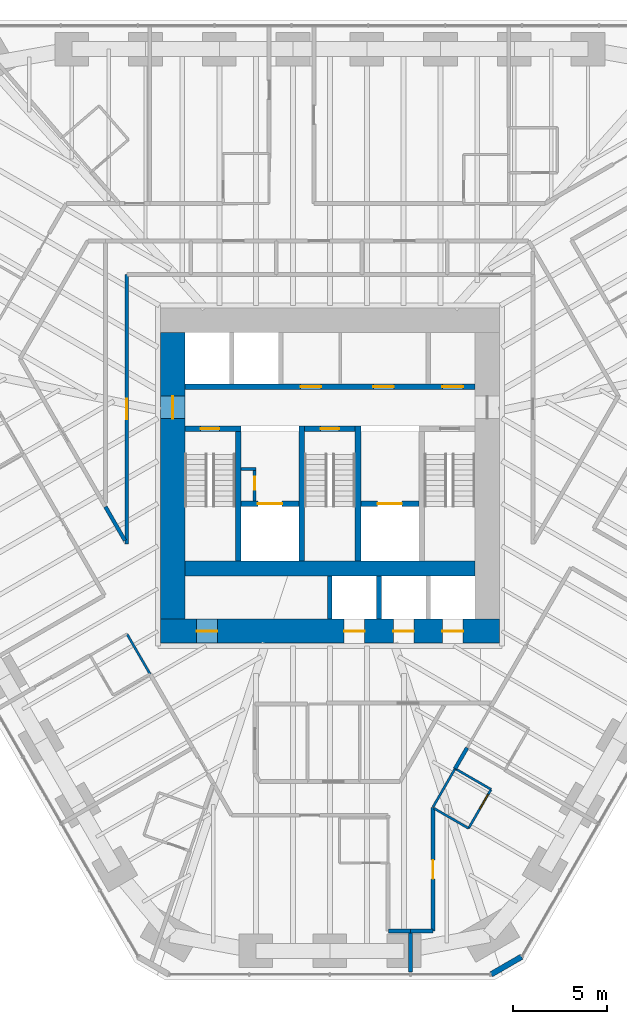
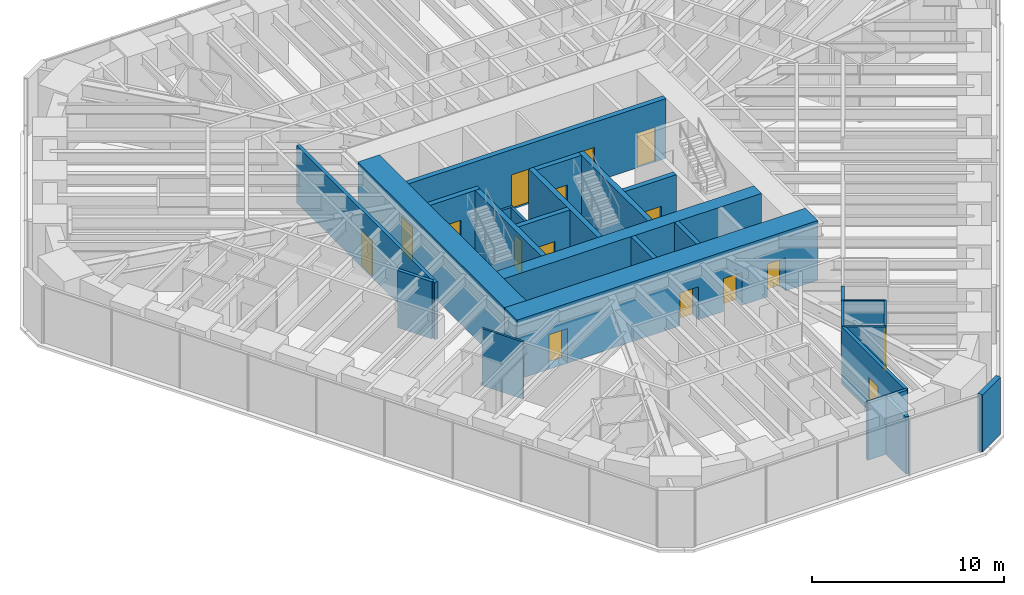
# One storey, part 12 of 17: 28 walls, 16 doors, 16 openings.
"""IFC4 building model written with IfcOpenShell, lengths in metres."""

import ifcopenshell
import ifcopenshell.guid

model = None  # the IFC model being written
_history = None  # IfcOwnerHistory: only IFC2X3 demands one
_inside = {}  # id of a spatial element -> (the spatial element, [elements in it])
_under = {}  # id of a project, library or spatial element -> (it, [spatial elements below it])
_declared = {}  # id of a project -> (the project, [libraries it declares])
_typed = {}  # id of a type object -> (the type object, [elements of that type])
_made_of = {}  # id of a material, layer set ... -> (it, [elements and type objects made of it])


def new_model(schema):
    """Start an empty IFC model of exactly this schema.

    Asked for "IFC4X3", IfcOpenShell would pick the latest addendum, in which some entities
    have other attributes; the version numbers below select the first issue.
    IFC2X3 requires an IfcOwnerHistory on every rooted entity: one is made here for all.
    """
    global model, _history
    if schema == "IFC4X3":
        model = ifcopenshell.file(schema_version=(4, 3, 0, 0))
    else:
        model = ifcopenshell.file(schema=schema)
    _inside.clear()
    _under.clear()
    _declared.clear()
    _typed.clear()
    _made_of.clear()
    _history = None
    if model.schema == "IFC2X3":
        org = make("IfcOrganization", Name="unknown")
        user = make(
            "IfcPersonAndOrganization",
            ThePerson=make("IfcPerson", FamilyName="unknown"),
            TheOrganization=org,
        )
        app = make(
            "IfcApplication",
            ApplicationDeveloper=org,
            Version="unknown",
            ApplicationFullName="unknown",
            ApplicationIdentifier="unknown",
        )
        _history = make(
            "IfcOwnerHistory",
            OwningUser=user,
            OwningApplication=app,
            ChangeAction="ADDED",
            CreationDate=0,
        )
    return model


def make(cls, **values):
    """One entity of the class cls with the attributes given. An attribute that is None is left unset."""
    return model.create_entity(
        cls, **{name: value for name, value in values.items() if value is not None}
    )


def rooted(cls, **values):
    """An entity with a GlobalId (a new one), such as an element, a storey or a relation."""
    return make(cls, GlobalId=ifcopenshell.guid.new(), OwnerHistory=_history, **values)


def si_unit(unit_type, name, prefix=None):
    """IfcSIUnit, for example si_unit("LENGTHUNIT", "METRE", prefix="MILLI")."""
    return make("IfcSIUnit", UnitType=unit_type, Prefix=prefix, Name=name)


def assignment(units):
    """IfcUnitAssignment: the units of a project."""
    return None if units is None else make("IfcUnitAssignment", Units=units)


def point(xyz):
    """IfcCartesianPoint."""
    return None if xyz is None else make("IfcCartesianPoint", Coordinates=xyz)


def direction(xyz):
    """IfcDirection."""
    return None if xyz is None else make("IfcDirection", DirectionRatios=xyz)


def frame(location, z_axis=None, x_axis=None):
    """IfcAxis2Placement3D, a coordinate frame: its origin and axes. An axis left out is left unset."""
    return make(
        "IfcAxis2Placement3D",
        Location=point(location),
        Axis=direction(z_axis),
        RefDirection=direction(x_axis),
    )


def frame_2d(location, x_axis=None):
    """IfcAxis2Placement2D, a coordinate frame in the plane: its origin and x axis."""
    return make(
        "IfcAxis2Placement2D", Location=point(location), RefDirection=direction(x_axis)
    )


def origin():
    """The frame at (0, 0, 0) with its axes left unset."""
    return frame((0.0, 0.0, 0.0))


def place(relative_to, where):
    """IfcLocalPlacement: puts the frame where relative to a parent placement (None: the world)."""
    return make(
        "IfcLocalPlacement", PlacementRelTo=relative_to, RelativePlacement=where
    )


def context(
    kind, dimensions, precision=None, world=None, true_north=None, identifier=None
):
    """IfcGeometricRepresentationContext, for example the 3D "Model" context."""
    return make(
        "IfcGeometricRepresentationContext",
        ContextIdentifier=identifier,
        ContextType=kind,
        CoordinateSpaceDimension=dimensions,
        Precision=precision,
        WorldCoordinateSystem=world,
        TrueNorth=true_north,
    )


def subcontext(parent, identifier, kind, view, scale=None):
    """IfcGeometricRepresentationSubContext, for example "Body" below "Model"."""
    return make(
        "IfcGeometricRepresentationSubContext",
        ContextIdentifier=identifier,
        ContextType=kind,
        ParentContext=parent,
        TargetScale=scale,
        TargetView=view,
    )


def project(units=None, contexts=None):
    """IfcProject with its units and contexts."""
    return rooted(
        "IfcProject",
        Name="project",
        RepresentationContexts=contexts,
        UnitsInContext=assignment(units),
    )


def spatial(cls, under=None, at=None, **own):
    """A site, building, storey or space (cls), placed at a placement, below another one or the project."""
    s = rooted(cls, ObjectPlacement=at, **own)
    if under is not None:
        _under.setdefault(under.id(), (under, []))[1].append(s)
    return s


def profile(cls, at=None, kind="AREA", **sizes):
    """A parametric profile (cls). Its sizes go by their IFC names, for example OverallWidth=200.0."""
    return make(cls, ProfileType=kind, Position=at, **sizes)


def rectangle(**sizes):
    """IfcRectangleProfileDef."""
    return profile("IfcRectangleProfileDef", **sizes)


def extrude(swept, where, along, depth):
    """IfcExtrudedAreaSolid: the profile swept, set in the frame where, extruded along a direction by depth."""
    return make(
        "IfcExtrudedAreaSolid",
        SweptArea=swept,
        Position=where,
        ExtrudedDirection=direction(along),
        Depth=depth,
    )


def shape(context_of_items, identifier, shape_type, items):
    """IfcShapeRepresentation: the items that make up one representation, for example the "Body"."""
    return make(
        "IfcShapeRepresentation",
        ContextOfItems=context_of_items,
        RepresentationIdentifier=identifier,
        RepresentationType=shape_type,
        Items=items,
    )


def material(Name=None, Category=None):
    """IfcMaterial."""
    return make("IfcMaterial", Name=Name, Category=Category)


def layer(
    of_material, thickness, ventilated=None, Name=None, Category=None, Priority=None
):
    """IfcMaterialLayer: one layer of a wall or slab, of a material (None: an air gap)."""
    return make(
        "IfcMaterialLayer",
        Material=of_material,
        LayerThickness=thickness,
        IsVentilated=ventilated,
        Name=Name,
        Category=Category,
        Priority=Priority,
    )


def layer_set(layers, Name=None):
    """IfcMaterialLayerSet."""
    return make("IfcMaterialLayerSet", MaterialLayers=layers, LayerSetName=Name)


def made_of(thing, what):
    """Note that an element or type object is made of a material, layer set ...; save() writes the relation."""
    if what is not None:
        _made_of.setdefault(what.id(), (what, []))[1].append(thing)
    return thing


def type_object(cls, material=None, **own):
    """A type object (cls), such as IfcWallType, which elements share."""
    return made_of(rooted(cls, **own), material)


def element(
    cls,
    number,
    at=None,
    inside=None,
    cuts=None,
    type_object=None,
    material=None,
    context=None,
    identifier="Body",
    shape_type=None,
    held_by="IfcProductDefinitionShape",
    body=None,
    shapes=None,
    **own,
):
    """One element of the class cls, such as IfcWall. Its Tag is "e" and its number.

    at: its placement. inside: the storey or other place that contains it. cuts: it is an
    opening in that element (IfcRelVoidsElement). A single representation is given by context,
    identifier, shape_type and body (its items); several are given by shapes. held_by: the class
    of the entity that holds the representations. save() writes the other relations.
    """
    e = rooted(cls, Tag="e%d" % number, ObjectPlacement=at, **own)
    if body is not None:
        shapes = [shape(context, identifier, shape_type, body)]
    if shapes is not None:
        e.Representation = make(held_by, Representations=shapes)
    if inside is not None:
        _inside.setdefault(inside.id(), (inside, []))[1].append(e)
    if cuts is not None:
        rooted(
            "IfcRelVoidsElement", RelatingBuildingElement=cuts, RelatedOpeningElement=e
        )
    if type_object is not None:
        _typed.setdefault(type_object.id(), (type_object, []))[1].append(e)
    return made_of(e, material)


def fill(opening, filler):
    """IfcRelFillsElement: the door or window that sits in an opening."""
    return rooted(
        "IfcRelFillsElement",
        RelatingOpeningElement=opening,
        RelatedBuildingElement=filler,
    )


def aggregate(whole, parts):
    """IfcRelAggregates: a whole, such as a stair, and the parts it consists of."""
    return rooted("IfcRelAggregates", RelatingObject=whole, RelatedObjects=parts)


def save(model, path):
    """Write the relations noted so far, then the file.

    IfcRelAggregates (storeys below a building ...), IfcRelContainedInSpatialStructure (elements
    in a storey), IfcRelDefinesByType, IfcRelAssociatesMaterial and IfcRelDeclares: one each for
    every whole, place, type object, material and project.
    """
    for whole, parts in _under.values():
        aggregate(whole, parts)
    for where, things in _inside.values():
        rooted(
            "IfcRelContainedInSpatialStructure",
            RelatedElements=things,
            RelatingStructure=where,
        )
    for kind, things in _typed.values():
        rooted("IfcRelDefinesByType", RelatedObjects=things, RelatingType=kind)
    for what, things in _made_of.values():
        rooted("IfcRelAssociatesMaterial", RelatedObjects=things, RelatingMaterial=what)
    for by, libraries in _declared.values():
        rooted("IfcRelDeclares", RelatingContext=by, RelatedDefinitions=libraries)
    model.write(path)


model = new_model("IFC4")

# Units and contexts
model_context = context("Model", 3, precision=1e-05, world=origin(), true_north=direction((0.0, 1.0)))
body_context = subcontext(model_context, "Body", "Model", "MODEL_VIEW")
ifc_project = project(units=[si_unit("LENGTHUNIT", "METRE"), si_unit("AREAUNIT", "SQUARE_METRE"), si_unit("VOLUMEUNIT", "CUBIC_METRE"), si_unit("PLANEANGLEUNIT", "RADIAN"), si_unit("MASSUNIT", "GRAM", prefix="KILO")], contexts=[model_context])

# Site, building, storey
site_placement = place(None, origin())
site = spatial("IfcSite", under=ifc_project, at=site_placement, CompositionType="ELEMENT")
building_placement = place(site_placement, origin())
building = spatial("IfcBuilding", under=site, at=building_placement, Name="Sandreach Pilgrim Tower", CompositionType="ELEMENT")
storey_placement = place(building_placement, frame((0.0, 0.0, 142.39990234375)))
storey = spatial("IfcBuildingStorey", under=building, at=storey_placement, Name="L35", CompositionType="ELEMENT", Elevation=142.39990234375)

# Walls
ifc_material_1 = material(Name="Moisture-resistant gypsum board on steel studs", Category="steel")
ifc_layer_1 = layer(ifc_material_1, 0.1201171875)
ifc_layer_set_1 = layer_set([ifc_layer_1], Name="Bathroom partition 120")
wall_type_1 = type_object("IfcWallType", Name="Bathroom partition 120", PredefinedType="PARTITIONING", material=ifc_layer_set_1)
wall_1_placement = place(storey_placement, frame((-10.840087890625, -10.010009765625, 0.0), z_axis=(0.0, 0.0, 1.0), x_axis=(0.500089055364, -0.86597398154, 0.0)))
element("IfcWall", 1, at=wall_1_placement, inside=storey, type_object=wall_type_1, Name="Bathroom partition L35-043", PredefinedType="PARTITIONING", context=body_context, shape_type="SweptSolid", body=[
    extrude(rectangle(XDim=2.45947265625, YDim=0.1201171875, at=frame_2d((1.229736328125, 0.0))), origin(), (0.0, 0.0, 1.0), 3.64013671875),
])
wall_2_placement = place(storey_placement, frame((5.510009765625, -19.25, 0.0), z_axis=(0.0, 0.0, 1.0), x_axis=(0.498837591974, 0.866695481028, 0.0)))
element("IfcWall", 2, at=wall_2_placement, inside=storey, type_object=wall_type_1, Name="Bathroom partition L35-092", PredefinedType="PARTITIONING", context=body_context, shape_type="SweptSolid", body=[
    extrude(rectangle(XDim=2.365478515625, YDim=0.1201171875, at=frame_2d((1.1826171875, 0.0))), origin(), (0.0, 0.0, 1.0), 3.64013671875),
])
wall_3_placement = place(storey_placement, frame((5.566162109375, -19.322509765625, 0.0), z_axis=(0.0, 0.0, 1.0), x_axis=(0.865436746432, -0.501018201192, 0.0)))
element("IfcWall", 3, at=wall_3_placement, inside=storey, type_object=wall_type_1, Name="Bathroom partition L35-093", PredefinedType="PARTITIONING", context=body_context, shape_type="SweptSolid", body=[
    extrude(rectangle(XDim=2.13037109375, YDim=0.1201171875, at=frame_2d((1.065185546875, 0.0))), origin(), (0.0, 0.0, 1.0), 3.64013671875),
])

# Wall, opening, door
wall_4_placement = place(storey_placement, frame((7.409912109375, -20.389892578125, 0.0), z_axis=(0.0, 0.0, 1.0), x_axis=(0.499737123639, 0.866177122335, 0.0)))
wall_4 = element("IfcWall", 4, at=wall_4_placement, inside=storey, type_object=wall_type_1, Name="Bathroom partition L35-103", PredefinedType="PARTITIONING", context=body_context, shape_type="SweptSolid", body=[
    extrude(rectangle(XDim=2.401123046875, YDim=0.1201171875, at=frame_2d((1.20068359375, 0.0))), origin(), (0.0, 0.0, 1.0), 3.64013671875),
])
opening_1_placement = place(wall_4_placement, frame((1.201416015625, 0.0, 0.0)))
opening_1 = element("IfcOpeningElement", 5, at=opening_1_placement, cuts=wall_4, Name="Opening D09-09B", PredefinedType="OPENING", context=body_context, shape_type="SweptSolid", body=[
    extrude(rectangle(XDim=0.89990234375, YDim=2.030029296875, at=frame_2d((0.449951171875, 1.01513671875))), frame((0.0, 0.06005859375, 0.0), z_axis=(0.0, -1.0, 0.0), x_axis=(1.0, 0.0, 0.0)), (0.0, 0.0, 1.0), 0.1201171875),
])
ifc_material_2 = material(Name="Timber door, steel frame", Category="steel")
door_type_1 = type_object("IfcDoorType", Name="Bathroom door", OperationType="SINGLE_SWING_LEFT", PredefinedType="DOOR", material=ifc_material_2)
door_1_placement = place(opening_1_placement, origin())
door_1 = element("IfcDoor", 6, at=door_1_placement, inside=storey, type_object=door_type_1, Name="Door 3509B", OperationType="SINGLE_SWING_RIGHT", OverallHeight=2.030029296875, OverallWidth=0.89990234375, PredefinedType="DOOR", context=body_context, shape_type="SweptSolid", body=[
    extrude(rectangle(XDim=0.89990234375, YDim=2.030029296875, at=frame_2d((0.449951171875, 1.01513671875))), frame((0.0, 0.02490234375, 0.0), z_axis=(0.0, -1.0, 0.0), x_axis=(1.0, 0.0, 0.0)), (0.0, 0.0, 1.0), 0.050048828125),
])
fill(opening_1, door_1)

# Walls
wall_5_placement = place(storey_placement, frame((8.610107421875, -18.31005859375, 0.0), z_axis=(0.0, 0.0, 1.0), x_axis=(-0.865732595383, 0.500506816428, 0.0)))
element("IfcWall", 7, at=wall_5_placement, inside=storey, type_object=wall_type_1, Name="Bathroom partition L35-106", PredefinedType="PARTITIONING", context=body_context, shape_type="SweptSolid", body=[
    extrude(rectangle(XDim=2.218017578125, YDim=0.1201171875, at=frame_2d((1.10888671875, 0.0))), origin(), (0.0, 0.0, 1.0), 3.64013671875),
])
ifc_material_3 = material(Name="Concrete 10000 psi", Category="concrete")
ifc_layer_2 = layer(ifc_material_3, 0.300048828125)
ifc_layer_set_2 = layer_set([ifc_layer_2], Name="Core inner wall 300")
wall_type_2 = type_object("IfcWallType", Name="Core inner wall 300", PredefinedType="SHEAR", material=ifc_layer_set_2)
for number, where, z_axis, x_axis, name in (
    (8, (-4.89990234375, -6.10009765625, 0.0), (0.0, 0.0, 1.0), (0.0, 1.0, 0.0), "Core wall I0 L35"),
    (9, (-1.5, -6.10009765625, 0.0), (0.0, 0.0, 1.0), (0.0, 1.0, 0.0), "Core wall I1 L35"),
    (10, (1.5, -6.10009765625, 0.0), (0.0, 0.0, 1.0), (0.0, 1.0, 0.0), "Core wall I2 L35"),
):
    element("IfcWall", number, at=place(storey_placement, frame(where, z_axis=z_axis, x_axis=x_axis)), inside=storey, type_object=wall_type_2, Name=name, PredefinedType="SHEAR", context=body_context, shape_type="SweptSolid", body=[
        extrude(rectangle(XDim=7.2001953125, YDim=0.300048828125, at=frame_2d((3.60009765625, 0.0))), origin(), (0.0, 0.0, 1.0), 3.800048828125),
    ])

# Wall, opening, door
wall_6_placement = place(storey_placement, frame((-7.75, 0.949951171875, 0.0), z_axis=(0.0, 0.0, 1.0), x_axis=(1.0, 0.0, 0.0)))
wall_6 = element("IfcWall", 11, at=wall_6_placement, inside=storey, type_object=wall_type_2, Name="Core wall SN1 L35", PredefinedType="SHEAR", context=body_context, shape_type="SweptSolid", body=[
    extrude(rectangle(XDim=3.0, YDim=0.300048828125, at=frame_2d((1.5, 0.0))), origin(), (0.0, 0.0, 1.0), 3.800048828125),
])
opening_2_placement = place(wall_6_placement, frame((0.85009765625, 0.0, 0.0)))
opening_2 = element("IfcOpeningElement", 12, at=opening_2_placement, cuts=wall_6, Name="Opening D10S-ST1", PredefinedType="OPENING", context=body_context, shape_type="SweptSolid", body=[
    extrude(rectangle(XDim=1.0, YDim=2.199951171875, at=frame_2d((0.5, 1.10009765625))), frame((0.0, 0.14990234375, 0.0), z_axis=(0.0, -1.0, 0.0), x_axis=(1.0, 0.0, 0.0)), (0.0, 0.0, 1.0), 0.300048828125),
])
ifc_material_4 = material(Name="Steel door and frame", Category="steel")
door_type_2 = type_object("IfcDoorType", Name="Stair door", OperationType="SINGLE_SWING_LEFT", PredefinedType="DOOR", material=ifc_material_4)
door_2_placement = place(opening_2_placement, origin())
door_2 = element("IfcDoor", 13, at=door_2_placement, inside=storey, type_object=door_type_2, Name="Stair door ST1 L35", OperationType="SINGLE_SWING_LEFT", OverallHeight=2.199951171875, OverallWidth=1.0, PredefinedType="DOOR", context=body_context, shape_type="SweptSolid", body=[
    extrude(rectangle(XDim=1.0, YDim=2.199951171875, at=frame_2d((0.5, 1.10009765625))), frame((0.0, 0.02490234375, 0.0), z_axis=(0.0, -1.0, 0.0), x_axis=(1.0, 0.0, 0.0)), (0.0, 0.0, 1.0), 0.050048828125),
])
fill(opening_2, door_2)

wall_7_placement = place(storey_placement, frame((-1.35009765625, 0.949951171875, 0.0), z_axis=(0.0, 0.0, 1.0), x_axis=(1.0, 0.0, 0.0)))
wall_7 = element("IfcWall", 14, at=wall_7_placement, inside=storey, type_object=wall_type_2, Name="Core wall SN3 L35", PredefinedType="SHEAR", context=body_context, shape_type="SweptSolid", body=[
    extrude(rectangle(XDim=2.7001953125, YDim=0.300048828125, at=frame_2d((1.35009765625, 0.0))), origin(), (0.0, 0.0, 1.0), 3.800048828125),
])
opening_3_placement = place(wall_7_placement, frame((0.85009765625, 0.0, 0.0)))
opening_3 = element("IfcOpeningElement", 15, at=opening_3_placement, cuts=wall_7, Name="Opening D10S-ST3", PredefinedType="OPENING", context=body_context, shape_type="SweptSolid", body=[
    extrude(rectangle(XDim=1.0, YDim=2.199951171875, at=frame_2d((0.5, 1.10009765625))), frame((0.0, 0.14990234375, 0.0), z_axis=(0.0, -1.0, 0.0), x_axis=(1.0, 0.0, 0.0)), (0.0, 0.0, 1.0), 0.300048828125),
])
door_3_placement = place(opening_3_placement, origin())
door_3 = element("IfcDoor", 16, at=door_3_placement, inside=storey, type_object=door_type_2, Name="Stair door ST3 L35", OperationType="SINGLE_SWING_LEFT", OverallHeight=2.199951171875, OverallWidth=1.0, PredefinedType="DOOR", context=body_context, shape_type="SweptSolid", body=[
    extrude(rectangle(XDim=1.0, YDim=2.199951171875, at=frame_2d((0.5, 1.10009765625))), frame((0.0, 0.02490234375, 0.0), z_axis=(0.0, -1.0, 0.0), x_axis=(1.0, 0.0, 0.0)), (0.0, 0.0, 1.0), 0.050048828125),
])
fill(opening_3, door_3)

wall_8_placement = place(storey_placement, frame((-4.75, -3.050048828125, 0.0), z_axis=(0.0, 0.0, 1.0), x_axis=(1.0, 0.0, 0.0)))
wall_8 = element("IfcWall", 17, at=wall_8_placement, inside=storey, type_object=wall_type_2, Name="Core wall FL1 L35", PredefinedType="SHEAR", context=body_context, shape_type="SweptSolid", body=[
    extrude(rectangle(XDim=3.10009765625, YDim=0.300048828125, at=frame_2d((1.550048828125, 0.0))), origin(), (0.0, 0.0, 1.0), 3.800048828125),
])
opening_4_placement = place(wall_8_placement, frame((0.89990234375, 0.0, 0.0)))
opening_4 = element("IfcOpeningElement", 18, at=opening_4_placement, cuts=wall_8, Name="Opening LD13", PredefinedType="OPENING", context=body_context, shape_type="SweptSolid", body=[
    extrude(rectangle(XDim=1.300048828125, YDim=2.10009765625, at=frame_2d((0.64990234375, 1.050048828125))), frame((0.0, 0.14990234375, 0.0), z_axis=(0.0, -1.0, 0.0), x_axis=(1.0, 0.0, 0.0)), (0.0, 0.0, 1.0), 0.300048828125),
])
ifc_material_5 = material(Name="Steel door and frame", Category="steel")
door_type_3 = type_object("IfcDoorType", Name="Fire service lift landing door", OperationType="DOUBLE_DOOR_SLIDING", PredefinedType="DOOR", material=ifc_material_5)
door_4_placement = place(opening_4_placement, origin())
door_4 = element("IfcDoor", 19, at=door_4_placement, inside=storey, type_object=door_type_3, Name="Lift landing door FS1 L35", OperationType="DOUBLE_DOOR_SLIDING", OverallHeight=2.10009765625, OverallWidth=1.300048828125, PredefinedType="DOOR", context=body_context, shape_type="SweptSolid", body=[
    extrude(rectangle(XDim=1.300048828125, YDim=2.10009765625, at=frame_2d((0.64990234375, 1.050048828125))), frame((0.0, 0.02490234375, 0.0), z_axis=(0.0, -1.0, 0.0), x_axis=(1.0, 0.0, 0.0)), (0.0, 0.0, 1.0), 0.050048828125),
])
fill(opening_4, door_4)

wall_9_placement = place(storey_placement, frame((1.64990234375, -3.050048828125, 0.0), z_axis=(0.0, 0.0, 1.0), x_axis=(1.0, 0.0, 0.0)))
wall_9 = element("IfcWall", 20, at=wall_9_placement, inside=storey, type_object=wall_type_2, Name="Core wall FL2 L35", PredefinedType="SHEAR", context=body_context, shape_type="SweptSolid", body=[
    extrude(rectangle(XDim=3.10009765625, YDim=0.300048828125, at=frame_2d((1.550048828125, 0.0))), origin(), (0.0, 0.0, 1.0), 3.800048828125),
])
opening_5_placement = place(wall_9_placement, frame((0.89990234375, 0.0, 0.0)))
opening_5 = element("IfcOpeningElement", 21, at=opening_5_placement, cuts=wall_9, Name="Opening LD13", PredefinedType="OPENING", context=body_context, shape_type="SweptSolid", body=[
    extrude(rectangle(XDim=1.300048828125, YDim=2.10009765625, at=frame_2d((0.64990234375, 1.050048828125))), frame((0.0, 0.14990234375, 0.0), z_axis=(0.0, -1.0, 0.0), x_axis=(1.0, 0.0, 0.0)), (0.0, 0.0, 1.0), 0.300048828125),
])
door_5_placement = place(opening_5_placement, origin())
door_5 = element("IfcDoor", 22, at=door_5_placement, inside=storey, type_object=door_type_3, Name="Lift landing door FS2 L35", OperationType="DOUBLE_DOOR_SLIDING", OverallHeight=2.10009765625, OverallWidth=1.300048828125, PredefinedType="DOOR", context=body_context, shape_type="SweptSolid", body=[
    extrude(rectangle(XDim=1.300048828125, YDim=2.10009765625, at=frame_2d((0.64990234375, 1.050048828125))), frame((0.0, 0.02490234375, 0.0), z_axis=(0.0, -1.0, 0.0), x_axis=(1.0, 0.0, 0.0)), (0.0, 0.0, 1.0), 0.050048828125),
])
fill(opening_5, door_5)

# Wall, openings, doors
wall_10_placement = place(storey_placement, frame((-7.75, 3.199951171875, 0.0), z_axis=(0.0, 0.0, 1.0), x_axis=(1.0, 0.0, 0.0)))
wall_10 = element("IfcWall", 23, at=wall_10_placement, inside=storey, type_object=wall_type_2, Name="Core wall PN L35", PredefinedType="SHEAR", context=body_context, shape_type="SweptSolid", body=[
    extrude(rectangle(XDim=15.5, YDim=0.300048828125, at=frame_2d((7.75, 0.0))), origin(), (0.0, 0.0, 1.0), 3.800048828125),
])
opening_6_placement = place(wall_10_placement, frame((6.1875, 0.0, 0.0)))
opening_6 = element("IfcOpeningElement", 24, at=opening_6_placement, cuts=wall_10, Name="Opening D11L", PredefinedType="OPENING", context=body_context, shape_type="SweptSolid", body=[
    extrude(rectangle(XDim=1.10009765625, YDim=2.199951171875, at=frame_2d((0.550048828125, 1.10009765625))), frame((0.0, 0.14990234375, 0.0), z_axis=(0.0, -1.0, 0.0), x_axis=(1.0, 0.0, 0.0)), (0.0, 0.0, 1.0), 0.300048828125),
])
opening_7_placement = place(wall_10_placement, frame((10.074951171875, 0.0, 0.0)))
opening_7 = element("IfcOpeningElement", 25, at=opening_7_placement, cuts=wall_10, Name="Opening D11L", PredefinedType="OPENING", context=body_context, shape_type="SweptSolid", body=[
    extrude(rectangle(XDim=1.10009765625, YDim=2.199951171875, at=frame_2d((0.550048828125, 1.10009765625))), frame((0.0, 0.14990234375, 0.0), z_axis=(0.0, -1.0, 0.0), x_axis=(1.0, 0.0, 0.0)), (0.0, 0.0, 1.0), 0.300048828125),
])
opening_8_placement = place(wall_10_placement, frame((13.762451171875, 0.0, 0.0)))
opening_8 = element("IfcOpeningElement", 26, at=opening_8_placement, cuts=wall_10, Name="Opening D11L", PredefinedType="OPENING", context=body_context, shape_type="SweptSolid", body=[
    extrude(rectangle(XDim=1.10009765625, YDim=2.199951171875, at=frame_2d((0.550048828125, 1.10009765625))), frame((0.0, 0.14990234375, 0.0), z_axis=(0.0, -1.0, 0.0), x_axis=(1.0, 0.0, 0.0)), (0.0, 0.0, 1.0), 0.300048828125),
])
ifc_material_6 = material(Name="Steel door and frame, smoke seals", Category="steel")
door_type_4 = type_object("IfcDoorType", Name="Core room door", OperationType="SINGLE_SWING_LEFT", PredefinedType="DOOR", material=ifc_material_6)
door_6_placement = place(opening_6_placement, origin())
door_6 = element("IfcDoor", 27, at=door_6_placement, inside=storey, type_object=door_type_4, Name="Door housekeeping store 35K1", OperationType="SINGLE_SWING_LEFT", OverallHeight=2.199951171875, OverallWidth=1.10009765625, PredefinedType="DOOR", context=body_context, shape_type="SweptSolid", body=[
    extrude(rectangle(XDim=1.10009765625, YDim=2.199951171875, at=frame_2d((0.550048828125, 1.10009765625))), frame((0.0, 0.02490234375, 0.0), z_axis=(0.0, -1.0, 0.0), x_axis=(1.0, 0.0, 0.0)), (0.0, 0.0, 1.0), 0.050048828125),
])
fill(opening_6, door_6)
door_7_placement = place(opening_7_placement, origin())
door_7 = element("IfcDoor", 28, at=door_7_placement, inside=storey, type_object=door_type_4, Name="Door cleaners store 35K2", OperationType="SINGLE_SWING_RIGHT", OverallHeight=2.199951171875, OverallWidth=1.10009765625, PredefinedType="DOOR", context=body_context, shape_type="SweptSolid", body=[
    extrude(rectangle(XDim=1.10009765625, YDim=2.199951171875, at=frame_2d((0.550048828125, 1.10009765625))), frame((0.0, 0.02490234375, 0.0), z_axis=(0.0, -1.0, 0.0), x_axis=(1.0, 0.0, 0.0)), (0.0, 0.0, 1.0), 0.050048828125),
])
fill(opening_7, door_7)
door_8_placement = place(opening_8_placement, origin())
door_8 = element("IfcDoor", 29, at=door_8_placement, inside=storey, type_object=door_type_4, Name="Door storage room 35K3", OperationType="SINGLE_SWING_RIGHT", OverallHeight=2.199951171875, OverallWidth=1.10009765625, PredefinedType="DOOR", context=body_context, shape_type="SweptSolid", body=[
    extrude(rectangle(XDim=1.10009765625, YDim=2.199951171875, at=frame_2d((0.550048828125, 1.10009765625))), frame((0.0, 0.02490234375, 0.0), z_axis=(0.0, -1.0, 0.0), x_axis=(1.0, 0.0, 0.0)), (0.0, 0.0, 1.0), 0.050048828125),
])
fill(opening_8, door_8)

# Wall
ifc_material_7 = material(Name="Concrete 10000 psi", Category="concrete")
ifc_layer_3 = layer(ifc_material_7, 0.800048828125)
ifc_layer_set_3 = layer_set([ifc_layer_3], Name="Core mid wall 800")
wall_type_3 = type_object("IfcWallType", Name="Core mid wall 800", PredefinedType="SHEAR", material=ifc_layer_set_3)
wall_11_placement = place(storey_placement, frame((-7.75, -6.5, 0.0), z_axis=(0.0, 0.0, 1.0), x_axis=(1.0, 0.0, 0.0)))
element("IfcWall", 30, at=wall_11_placement, inside=storey, type_object=wall_type_3, Name="Core wall M L35", PredefinedType="SHEAR", context=body_context, shape_type="SweptSolid", body=[
    extrude(rectangle(XDim=15.5, YDim=0.800048828125, at=frame_2d((7.75, 0.0))), origin(), (0.0, 0.0, 1.0), 3.800048828125),
])

# Wall, openings, doors
ifc_material_8 = material(Name="Concrete 10000 psi", Category="concrete")
ifc_layer_4 = layer(ifc_material_8, 1.300048828125)
ifc_layer_set_4 = layer_set([ifc_layer_4], Name="Core wall 1300")
wall_type_4 = type_object("IfcWallType", Name="Core wall 1300", PredefinedType="SHEAR", material=ifc_layer_set_4)
wall_12_placement = place(storey_placement, frame((-9.050048828125, -9.85009765625, 0.0), z_axis=(0.0, 0.0, 1.0), x_axis=(1.0, 0.0, 0.0)))
wall_12 = element("IfcWall", 31, at=wall_12_placement, inside=storey, type_object=wall_type_4, Name="Core wall S L35", PredefinedType="SHEAR", context=body_context, shape_type="SweptSolid", body=[
    extrude(rectangle(XDim=18.10009765625, YDim=1.300048828125, at=frame_2d((9.050048828125, 0.0))), origin(), (0.0, 0.0, 1.0), 3.800048828125),
])
opening_9_placement = place(wall_12_placement, frame((1.9375, 0.0, 0.0)))
opening_9 = element("IfcOpeningElement", 32, at=opening_9_placement, cuts=wall_12, Name="Opening D11H", PredefinedType="OPENING", context=body_context, shape_type="SweptSolid", body=[
    extrude(rectangle(XDim=1.10009765625, YDim=2.199951171875, at=frame_2d((0.550048828125, 1.10009765625))), frame((0.0, 0.64990234375, 0.0), z_axis=(0.0, -1.0, 0.0), x_axis=(1.0, 0.0, 0.0)), (0.0, 0.0, 1.0), 1.300048828125),
])
opening_10_placement = place(wall_12_placement, frame((9.8125, 0.0, 0.0)))
opening_10 = element("IfcOpeningElement", 33, at=opening_10_placement, cuts=wall_12, Name="Opening LD11", PredefinedType="OPENING", context=body_context, shape_type="SweptSolid", body=[
    extrude(rectangle(XDim=1.10009765625, YDim=2.10009765625, at=frame_2d((0.550048828125, 1.050048828125))), frame((0.0, 0.64990234375, 0.0), z_axis=(0.0, -1.0, 0.0), x_axis=(1.0, 0.0, 0.0)), (0.0, 0.0, 1.0), 1.300048828125),
])
opening_11_placement = place(wall_12_placement, frame((12.4375, 0.0, 0.0)))
opening_11 = element("IfcOpeningElement", 34, at=opening_11_placement, cuts=wall_12, Name="Opening LD11", PredefinedType="OPENING", context=body_context, shape_type="SweptSolid", body=[
    extrude(rectangle(XDim=1.10009765625, YDim=2.10009765625, at=frame_2d((0.550048828125, 1.050048828125))), frame((0.0, 0.64990234375, 0.0), z_axis=(0.0, -1.0, 0.0), x_axis=(1.0, 0.0, 0.0)), (0.0, 0.0, 1.0), 1.300048828125),
])
opening_12_placement = place(wall_12_placement, frame((15.0625, 0.0, 0.0)))
opening_12 = element("IfcOpeningElement", 35, at=opening_12_placement, cuts=wall_12, Name="Opening LD11", PredefinedType="OPENING", context=body_context, shape_type="SweptSolid", body=[
    extrude(rectangle(XDim=1.10009765625, YDim=2.10009765625, at=frame_2d((0.550048828125, 1.050048828125))), frame((0.0, 0.64990234375, 0.0), z_axis=(0.0, -1.0, 0.0), x_axis=(1.0, 0.0, 0.0)), (0.0, 0.0, 1.0), 1.300048828125),
])
ifc_material_9 = material(Name="Steel door and frame", Category="steel")
door_type_5 = type_object("IfcDoorType", Name="Back of house door", OperationType="SINGLE_SWING_LEFT", PredefinedType="DOOR", material=ifc_material_9)
door_9_placement = place(opening_9_placement, origin())
door_9 = element("IfcDoor", 36, at=door_9_placement, inside=storey, type_object=door_type_5, Name="Door staff room 35K4", OperationType="SINGLE_SWING_LEFT", OverallHeight=2.199951171875, OverallWidth=1.10009765625, PredefinedType="DOOR", context=body_context, shape_type="SweptSolid", body=[
    extrude(rectangle(XDim=1.10009765625, YDim=2.199951171875, at=frame_2d((0.550048828125, 1.10009765625))), frame((0.0, 0.02490234375, 0.0), z_axis=(0.0, -1.0, 0.0), x_axis=(1.0, 0.0, 0.0)), (0.0, 0.0, 1.0), 0.050048828125),
])
fill(opening_9, door_9)
ifc_material_10 = material(Name="Steel door and frame", Category="steel")
door_type_6 = type_object("IfcDoorType", Name="Lift landing door", OperationType="DOUBLE_DOOR_SLIDING", PredefinedType="DOOR", material=ifc_material_10)
door_10_placement = place(opening_10_placement, origin())
door_10 = element("IfcDoor", 37, at=door_10_placement, inside=storey, type_object=door_type_6, Name="Lift landing door Z2A L35", OperationType="DOUBLE_DOOR_SLIDING", OverallHeight=2.10009765625, OverallWidth=1.10009765625, PredefinedType="DOOR", context=body_context, shape_type="SweptSolid", body=[
    extrude(rectangle(XDim=1.10009765625, YDim=2.10009765625, at=frame_2d((0.550048828125, 1.050048828125))), frame((0.0, 0.02490234375, 0.0), z_axis=(0.0, -1.0, 0.0), x_axis=(1.0, 0.0, 0.0)), (0.0, 0.0, 1.0), 0.050048828125),
])
fill(opening_10, door_10)
door_11_placement = place(opening_11_placement, origin())
door_11 = element("IfcDoor", 38, at=door_11_placement, inside=storey, type_object=door_type_6, Name="Lift landing door Z2B L35", OperationType="DOUBLE_DOOR_SLIDING", OverallHeight=2.10009765625, OverallWidth=1.10009765625, PredefinedType="DOOR", context=body_context, shape_type="SweptSolid", body=[
    extrude(rectangle(XDim=1.10009765625, YDim=2.10009765625, at=frame_2d((0.550048828125, 1.050048828125))), frame((0.0, 0.02490234375, 0.0), z_axis=(0.0, -1.0, 0.0), x_axis=(1.0, 0.0, 0.0)), (0.0, 0.0, 1.0), 0.050048828125),
])
fill(opening_11, door_11)
door_12_placement = place(opening_12_placement, origin())
door_12 = element("IfcDoor", 39, at=door_12_placement, inside=storey, type_object=door_type_6, Name="Lift landing door Z2C L35", OperationType="DOUBLE_DOOR_SLIDING", OverallHeight=2.10009765625, OverallWidth=1.10009765625, PredefinedType="DOOR", context=body_context, shape_type="SweptSolid", body=[
    extrude(rectangle(XDim=1.10009765625, YDim=2.10009765625, at=frame_2d((0.550048828125, 1.050048828125))), frame((0.0, 0.02490234375, 0.0), z_axis=(0.0, -1.0, 0.0), x_axis=(1.0, 0.0, 0.0)), (0.0, 0.0, 1.0), 0.050048828125),
])
fill(opening_12, door_12)

# Wall, opening, door
wall_13_placement = place(storey_placement, frame((-8.39990234375, -9.199951171875, 0.0), z_axis=(0.0, 0.0, 1.0), x_axis=(0.0, 1.0, 0.0)))
wall_13 = element("IfcWall", 40, at=wall_13_placement, inside=storey, type_object=wall_type_4, Name="Core wall W L35", PredefinedType="SHEAR", context=body_context, shape_type="SweptSolid", body=[
    extrude(rectangle(XDim=15.300048828125, YDim=1.300048828125, at=frame_2d((7.64990234375, 0.0))), origin(), (0.0, 0.0, 1.0), 3.800048828125),
])
opening_13_placement = place(wall_13_placement, frame((10.699951171875, 0.0, 0.0)))
opening_13 = element("IfcOpeningElement", 41, at=opening_13_placement, cuts=wall_13, Name="Opening D12F-W", PredefinedType="OPENING", context=body_context, shape_type="SweptSolid", body=[
    extrude(rectangle(XDim=1.199951171875, YDim=2.199951171875, at=frame_2d((0.60009765625, 1.10009765625))), frame((0.0, 0.64990234375, 0.0), z_axis=(0.0, -1.0, 0.0), x_axis=(1.0, 0.0, 0.0)), (0.0, 0.0, 1.0), 1.300048828125),
])
ifc_material_11 = material(Name="Steel door and frame", Category="steel")
door_type_7 = type_object("IfcDoorType", Name="Fire lobby door", OperationType="SINGLE_SWING_LEFT", PredefinedType="DOOR", material=ifc_material_11)
door_13_placement = place(opening_13_placement, origin())
door_13 = element("IfcDoor", 42, at=door_13_placement, inside=storey, type_object=door_type_7, Name="Fire service lobby door W L35", OperationType="SINGLE_SWING_RIGHT", OverallHeight=2.199951171875, OverallWidth=1.199951171875, PredefinedType="DOOR", context=body_context, shape_type="SweptSolid", body=[
    extrude(rectangle(XDim=1.199951171875, YDim=2.199951171875, at=frame_2d((0.60009765625, 1.10009765625))), frame((0.0, 0.02490234375, 0.0), z_axis=(0.0, -1.0, 0.0), x_axis=(1.0, 0.0, 0.0)), (0.0, 0.0, 1.0), 0.050048828125),
])
fill(opening_13, door_13)

# Wall
ifc_material_12 = material(Name="Gypsum board on steel studs, two layers each side", Category="steel")
ifc_layer_5 = layer(ifc_material_12, 0.199951171875)
ifc_layer_set_5 = layer_set([ifc_layer_5], Name="Corridor wall 200")
wall_type_5 = type_object("IfcWallType", Name="Corridor wall 200", PredefinedType="PARTITIONING", material=ifc_layer_set_5)
wall_14_placement = place(storey_placement, frame((-10.94970703125, -5.0166015625, 0.0), z_axis=(0.0, 0.0, 1.0), x_axis=(-0.498999092416, 0.866602507363, 0.0)))
element("IfcWall", 43, at=wall_14_placement, inside=storey, type_object=wall_type_5, Name="Corridor wall L35-041", PredefinedType="PARTITIONING", context=body_context, shape_type="SweptSolid", body=[
    extrude(rectangle(XDim=2.084716796875, YDim=0.199951171875, at=frame_2d((1.04248046875, 0.0))), origin(), (0.0, 0.0, 1.0), 3.64013671875),
])

# Wall, opening, door
wall_15_placement = place(storey_placement, frame((-10.85009765625, 9.199951171875, 0.0), z_axis=(0.0, 0.0, 1.0), x_axis=(0.0, -1.0, 0.0)))
wall_15 = element("IfcWall", 44, at=wall_15_placement, inside=storey, type_object=wall_type_5, Name="Corridor wall L35-042", PredefinedType="PARTITIONING", context=body_context, shape_type="SweptSolid", body=[
    extrude(rectangle(XDim=14.389892578125, YDim=0.199951171875, at=frame_2d((7.19482421875, 0.0))), origin(), (0.0, 0.0, 1.0), 3.64013671875),
])
opening_14_placement = place(wall_15_placement, frame((6.64501953125, 0.0, 0.0)))
opening_14 = element("IfcOpeningElement", 45, at=opening_14_placement, cuts=wall_15, Name="Opening D11H-M02", PredefinedType="OPENING", context=body_context, shape_type="SweptSolid", body=[
    extrude(rectangle(XDim=1.10009765625, YDim=2.199951171875, at=frame_2d((0.550048828125, 1.10009765625))), frame((0.0, 0.10009765625, 0.0), z_axis=(0.0, -1.0, 0.0), x_axis=(1.0, 0.0, 0.0)), (0.0, 0.0, 1.0), 0.199951171875),
])
door_14_placement = place(opening_14_placement, origin())
door_14 = element("IfcDoor", 46, at=door_14_placement, inside=storey, type_object=door_type_5, Name="Door 35M02", OperationType="SINGLE_SWING_LEFT", OverallHeight=2.199951171875, OverallWidth=1.10009765625, PredefinedType="DOOR", context=body_context, shape_type="SweptSolid", body=[
    extrude(rectangle(XDim=1.10009765625, YDim=2.199951171875, at=frame_2d((0.550048828125, 1.10009765625))), frame((0.0, 0.02490234375, 0.0), z_axis=(0.0, -1.0, 0.0), x_axis=(1.0, 0.0, 0.0)), (0.0, 0.0, 1.0), 0.050048828125),
])
fill(opening_14, door_14)

# Walls
wall_16_placement = place(storey_placement, frame((3.125, -25.8798828125, 0.0), z_axis=(0.0, 0.0, 1.0), x_axis=(1.0, 0.0, 0.0)))
element("IfcWall", 47, at=wall_16_placement, inside=storey, type_object=wall_type_5, Name="Corridor wall L35-087", PredefinedType="PARTITIONING", context=body_context, shape_type="SweptSolid", body=[
    extrude(rectangle(XDim=1.18505859375, YDim=0.199951171875, at=frame_2d((0.592529296875, 0.0))), origin(), (0.0, 0.0, 1.0), 3.64013671875),
])
wall_17_placement = place(storey_placement, frame((4.31005859375, -25.8798828125, 0.0), z_axis=(0.0, 0.0, 1.0), x_axis=(1.0, 0.0, 0.0)))
element("IfcWall", 48, at=wall_17_placement, inside=storey, type_object=wall_type_5, Name="Corridor wall L35-090", PredefinedType="PARTITIONING", context=body_context, shape_type="SweptSolid", body=[
    extrude(rectangle(XDim=1.18994140625, YDim=0.199951171875, at=frame_2d((0.594970703125, 0.0))), origin(), (0.0, 0.0, 1.0), 3.64013671875),
])

# Wall, opening, door
wall_18_placement = place(storey_placement, frame((5.510009765625, -25.8798828125, 0.0), z_axis=(0.0, 0.0, 1.0), x_axis=(0.0, 1.0, 0.0)))
wall_18 = element("IfcWall", 49, at=wall_18_placement, inside=storey, type_object=wall_type_5, Name="Corridor wall L35-091", PredefinedType="PARTITIONING", context=body_context, shape_type="SweptSolid", body=[
    extrude(rectangle(XDim=6.58984375, YDim=0.199951171875, at=frame_2d((3.294921875, 0.0))), origin(), (0.0, 0.0, 1.0), 3.64013671875),
])
opening_15_placement = place(wall_18_placement, frame((2.794921875, 0.0, 0.0)))
opening_15 = element("IfcOpeningElement", 50, at=opening_15_placement, cuts=wall_18, Name="Opening D10-09", PredefinedType="OPENING", context=body_context, shape_type="SweptSolid", body=[
    extrude(rectangle(XDim=1.0, YDim=2.1298828125, at=frame_2d((0.5, 1.06494140625))), frame((0.0, 0.10009765625, 0.0), z_axis=(0.0, -1.0, 0.0), x_axis=(1.0, 0.0, 0.0)), (0.0, 0.0, 1.0), 0.199951171875),
])
ifc_material_13 = material(Name="Steel door and frame", Category="steel")
door_type_8 = type_object("IfcDoorType", Name="Guest room entry door", OperationType="SINGLE_SWING_LEFT", PredefinedType="DOOR", material=ifc_material_13)
door_15_placement = place(opening_15_placement, origin())
door_15 = element("IfcDoor", 51, at=door_15_placement, inside=storey, type_object=door_type_8, Name="Door 3509", OperationType="SINGLE_SWING_LEFT", OverallHeight=2.1298828125, OverallWidth=1.0, PredefinedType="DOOR", context=body_context, shape_type="SweptSolid", body=[
    extrude(rectangle(XDim=1.0, YDim=2.1298828125, at=frame_2d((0.5, 1.06494140625))), frame((0.0, 0.02490234375, 0.0), z_axis=(0.0, -1.0, 0.0), x_axis=(1.0, 0.0, 0.0)), (0.0, 0.0, 1.0), 0.050048828125),
])
fill(opening_15, door_15)

# Walls
wall_19_placement = place(storey_placement, frame((6.68994140625, -17.199951171875, 0.0), z_axis=(0.0, 0.0, 1.0), x_axis=(0.499623473928, 0.866242682105, 0.0)))
element("IfcWall", 52, at=wall_19_placement, inside=storey, type_object=wall_type_5, Name="Corridor wall L35-098", PredefinedType="PARTITIONING", context=body_context, shape_type="SweptSolid", body=[
    extrude(rectangle(XDim=1.28125, YDim=0.199951171875, at=frame_2d((0.640625, 0.0))), origin(), (0.0, 0.0, 1.0), 3.64013671875),
])
ifc_material_14 = material(Name="Double steel stud acoustic wall, gypsum board", Category="steel")
ifc_layer_6 = layer(ifc_material_14, 0.199951171875)
ifc_layer_set_6 = layer_set([ifc_layer_6], Name="Party wall 200")
wall_type_6 = type_object("IfcWallType", Name="Party wall 200", PredefinedType="PARTITIONING", material=ifc_layer_set_6)
wall_20_placement = place(storey_placement, frame((4.31005859375, -28.070068359375, 0.0), z_axis=(0.0, 0.0, 1.0), x_axis=(0.0, 1.0, 0.0)))
element("IfcWall", 53, at=wall_20_placement, inside=storey, type_object=wall_type_6, Name="Party wall L35-089", PredefinedType="PARTITIONING", context=body_context, shape_type="SweptSolid", body=[
    extrude(rectangle(XDim=2.18017578125, YDim=0.199951171875, at=frame_2d((1.090087890625, 0.0))), origin(), (0.0, 0.0, 1.0), 3.64013671875),
])

# Wall, opening, door
ifc_material_15 = material(Name="Gypsum shaft wall on steel studs, shaft liner board", Category="steel")
ifc_layer_7 = layer(ifc_material_15, 0.14990234375)
ifc_layer_set_7 = layer_set([ifc_layer_7], Name="Riser shaft wall 150")
wall_type_7 = type_object("IfcWallType", Name="Riser shaft wall 150", PredefinedType="PARTITIONING", material=ifc_layer_set_7)
wall_21_placement = place(storey_placement, frame((-4.02490234375, -2.89990234375, 0.0), z_axis=(0.0, 0.0, 1.0), x_axis=(0.0, 1.0, 0.0)))
wall_21 = element("IfcWall", 54, at=wall_21_placement, inside=storey, type_object=wall_type_7, Name="Riser partition L35 side", PredefinedType="PARTITIONING", context=body_context, shape_type="SweptSolid", body=[
    extrude(rectangle(XDim=1.77490234375, YDim=0.14990234375, at=frame_2d((0.887451171875, 0.0))), origin(), (0.0, 0.0, 1.0), 3.64013671875),
])
opening_16_placement = place(wall_21_placement, frame((0.60009765625, 0.0, 0.0)))
opening_16 = element("IfcOpeningElement", 55, at=opening_16_placement, cuts=wall_21, Name="Opening D07R", PredefinedType="OPENING", context=body_context, shape_type="SweptSolid", body=[
    extrude(rectangle(XDim=0.699951171875, YDim=2.10009765625, at=frame_2d((0.35009765625, 1.050048828125))), frame((0.0, 0.074951171875, 0.0), z_axis=(0.0, -1.0, 0.0), x_axis=(1.0, 0.0, 0.0)), (0.0, 0.0, 1.0), 0.14990234375),
])
ifc_material_16 = material(Name="Steel door and frame, smoke seals", Category="steel")
door_type_9 = type_object("IfcDoorType", Name="Riser access door", OperationType="SINGLE_SWING_RIGHT", PredefinedType="DOOR", material=ifc_material_16)
door_16_placement = place(opening_16_placement, origin())
door_16 = element("IfcDoor", 56, at=door_16_placement, inside=storey, type_object=door_type_9, Name="Door riser 35ER", OperationType="SINGLE_SWING_RIGHT", OverallHeight=2.10009765625, OverallWidth=0.699951171875, PredefinedType="DOOR", context=body_context, shape_type="SweptSolid", body=[
    extrude(rectangle(XDim=0.699951171875, YDim=2.10009765625, at=frame_2d((0.35009765625, 1.050048828125))), frame((0.0, 0.02490234375, 0.0), z_axis=(0.0, -1.0, 0.0), x_axis=(1.0, 0.0, 0.0)), (0.0, 0.0, 1.0), 0.050048828125),
])
fill(opening_16, door_16)

# Walls
wall_22_placement = place(storey_placement, frame((-4.75, -1.199951171875, 0.0), z_axis=(0.0, 0.0, 1.0), x_axis=(1.0, 0.0, 0.0)))
element("IfcWall", 57, at=wall_22_placement, inside=storey, type_object=wall_type_7, Name="Riser partition L35 front", PredefinedType="PARTITIONING", context=body_context, shape_type="SweptSolid", body=[
    extrude(rectangle(XDim=0.800048828125, YDim=0.14990234375, at=frame_2d((0.39990234375, 0.0))), origin(), (0.0, 0.0, 1.0), 3.64013671875),
])
ifc_material_17 = material(Name="Gypsum shaft wall on steel studs, two layers of shaft liner board", Category="steel")
ifc_layer_8 = layer(ifc_material_17, 0.25)
ifc_layer_set_8 = layer_set([ifc_layer_8], Name="Shaft partition 250")
wall_type_8 = type_object("IfcWallType", Name="Shaft partition 250", PredefinedType="PARTITIONING", material=ifc_layer_set_8)
for number, where, z_axis, x_axis, name in (
    (58, (0.0, -9.199951171875, 0.0), (0.0, 0.0, 1.0), (0.0, 1.0, 0.0), "Shaft partition XS2 L35"),
    (59, (2.625, -9.199951171875, 0.0), (0.0, 0.0, 1.0), (0.0, 1.0, 0.0), "Shaft partition XS3 L35"),
):
    element("IfcWall", number, at=place(storey_placement, frame(where, z_axis=z_axis, x_axis=x_axis)), inside=storey, type_object=wall_type_8, Name=name, PredefinedType="PARTITIONING", context=body_context, shape_type="SweptSolid", body=[
        extrude(rectangle(XDim=2.300048828125, YDim=0.25, at=frame_2d((1.14990234375, 0.0))), origin(), (0.0, 0.0, 1.0), 3.800048828125),
    ])
ifc_material_18 = material(Name="Terracotta rainscreen on concrete", Category="masonry")
ifc_layer_9 = layer(ifc_material_18, 0.300048828125)
ifc_layer_set_9 = layer_set([ifc_layer_9], Name="Terracotta chamfer pier")
wall_type_9 = type_object("IfcWallType", Name="Terracotta chamfer pier", PredefinedType="SOLIDWALL", material=ifc_layer_set_9)
wall_23_placement = place(storey_placement, frame((10.239501953125, -27.252197265625, 0.0), z_axis=(0.0, 0.0, 1.0), x_axis=(-0.866045024864, -0.499966013754, 0.0)))
element("IfcWall", 60, at=wall_23_placement, inside=storey, type_object=wall_type_9, Name="Chamfer pier L35 SE", PredefinedType="SOLIDWALL", context=body_context, shape_type="SweptSolid", body=[
    extrude(rectangle(XDim=1.880126953125, YDim=0.300048828125, at=frame_2d((0.93994140625, 0.0))), origin(), (0.0, 0.0, 1.0), 3.64013671875),
])

save(model, "model.ifc")
